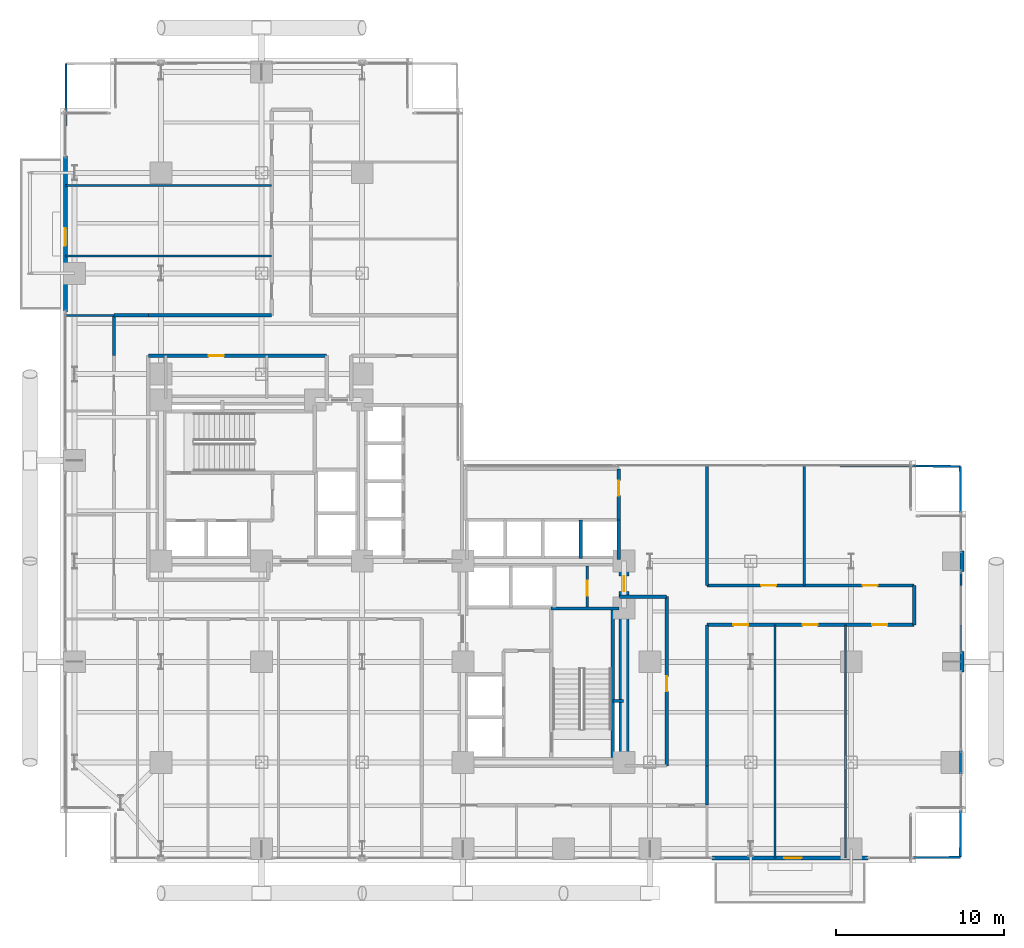
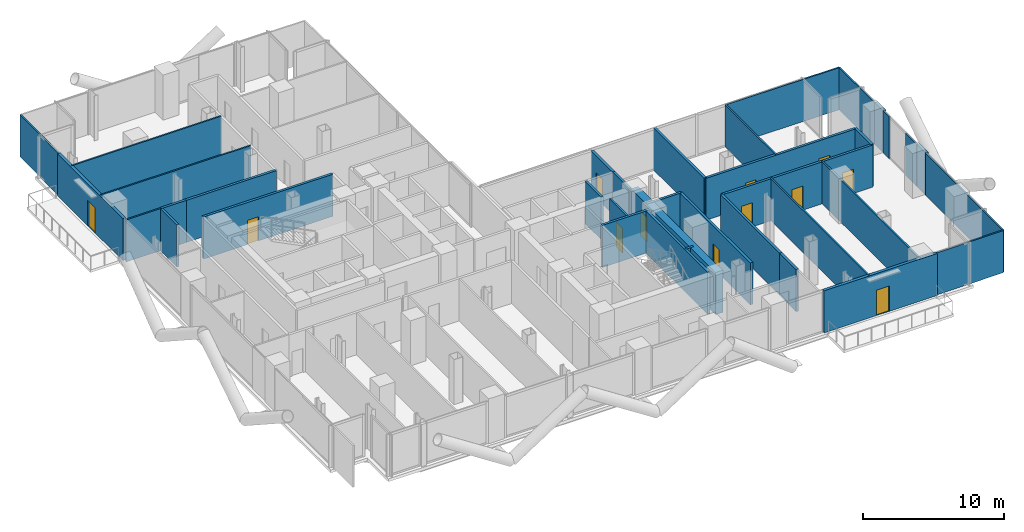
# One storey, part 23 of 27: 37 walls, 12 doors, 12 openings.
"""IFC4 building model written with IfcOpenShell, lengths in metres."""

from ifc_helpers import new_model, si_unit, direction, frame, frame_2d, origin, place, context, subcontext, project, spatial, rectangle, extrude, material, layer, layer_set, type_object, element, fill, save


model = new_model("IFC4")

# Units and contexts
model_context = context("Model", 3, precision=1e-05, world=origin(), true_north=direction((0.0, 1.0)))
body_context = subcontext(model_context, "Body", "Model", "MODEL_VIEW")
ifc_project = project(units=[si_unit("LENGTHUNIT", "METRE"), si_unit("AREAUNIT", "SQUARE_METRE"), si_unit("VOLUMEUNIT", "CUBIC_METRE"), si_unit("PLANEANGLEUNIT", "RADIAN"), si_unit("MASSUNIT", "GRAM", prefix="KILO"), si_unit("THERMODYNAMICTEMPERATUREUNIT", "KELVIN"), si_unit("POWERUNIT", "WATT")], contexts=[model_context])

# Site, building, storey
site_placement = place(None, origin())
site = spatial("IfcSite", under=ifc_project, at=site_placement, CompositionType="ELEMENT")
building_placement = place(site_placement, origin())
building = spatial("IfcBuilding", under=site, at=building_placement, Name="Svarakhadi Broadcast Tower", CompositionType="ELEMENT")
storey_placement = place(building_placement, frame((0.0, 0.0, 44.10009765625)))
storey = spatial("IfcBuildingStorey", under=building, at=storey_placement, Name="L09", CompositionType="ELEMENT", Elevation=44.10009765625)

# Wall, opening, door
ifc_material_1 = material(Name="Double-Stud Acoustic Studio Partition STC-62", Category="gypsum")
ifc_layer_1 = layer(ifc_material_1, 0.199951171875)
ifc_layer_set_1 = layer_set([ifc_layer_1], Name="Double-Stud Acoustic Studio Partition STC-62")
wall_type_1 = type_object("IfcWallType", Name="Wall_Acoust_200", PredefinedType="PARTITIONING", material=ifc_layer_set_1)
wall_1_placement = place(storey_placement, frame((36.14990234375, 5.800048828125, 0.0), z_axis=(0.0, 0.0, 1.0), x_axis=(0.0, 1.0, 0.0)))
wall_1 = element("IfcWall", 1, at=wall_1_placement, inside=storey, type_object=wall_type_1, Name="L09 Broadcast Corridor Wall", PredefinedType="PARTITIONING", context=body_context, shape_type="SweptSolid", body=[
    extrude(rectangle(XDim=10.079833984375, YDim=0.199951171875, at=frame_2d((5.0400390625, 0.0))), origin(), (0.0, 0.0, 1.0), 3.64990234375),
])
opening_1_placement = place(wall_1_placement, frame((4.429931640625, 0.0, 0.0)))
opening_1 = element("IfcOpeningElement", 2, at=opening_1_placement, cuts=wall_1, Name="Opening D-14", PredefinedType="OPENING", context=body_context, shape_type="SweptSolid", body=[
    extrude(rectangle(XDim=0.89990234375, YDim=2.10009765625, at=frame_2d((0.449951171875, 1.050048828125))), frame((0.0, 0.10986328125, 0.0), z_axis=(0.0, -1.0, 0.0), x_axis=(1.0, 0.0, 0.0)), (0.0, 0.0, 1.0), 0.219970703125),
])
ifc_material_2 = material(Name="Solid-Core Teak Veneer Acoustic Timber Leaf", Category="wood")
door_type_1 = type_object("IfcDoorType", Name="Door_Int_D14", OperationType="SINGLE_SWING_LEFT", PredefinedType="DOOR", material=ifc_material_2)
door_1_placement = place(opening_1_placement, origin())
door_1 = element("IfcDoor", 3, at=door_1_placement, inside=storey, type_object=door_type_1, Name="L09 Live Feed Monitoring Studio Door", OperationType="SINGLE_SWING_LEFT", OverallHeight=2.10009765625, OverallWidth=0.89990234375, PredefinedType="DOOR", context=body_context, shape_type="SweptSolid", body=[
    extrude(rectangle(XDim=0.89990234375, YDim=2.10009765625, at=frame_2d((0.449951171875, 1.050048828125))), frame((0.0, 0.02490234375, 0.0), z_axis=(0.0, -1.0, 0.0), x_axis=(1.0, 0.0, 0.0)), (0.0, 0.0, 1.0), 0.050048828125),
])
fill(opening_1, door_1)

# Walls
wall_2_placement = place(storey_placement, frame((36.14990234375, 15.8798828125, 0.0), z_axis=(0.0, 0.0, 1.0), x_axis=(-1.0, 0.0, 0.0)))
element("IfcWall", 4, at=wall_2_placement, inside=storey, type_object=wall_type_1, Name="L09 Broadcast Corridor Wall", PredefinedType="PARTITIONING", context=body_context, shape_type="SweptSolid", body=[
    extrude(rectangle(XDim=2.809814453125, YDim=0.199951171875, at=frame_2d((1.40478515625, 0.0))), origin(), (0.0, 0.0, 1.0), 3.64990234375),
])
wall_3_placement = place(storey_placement, frame((38.550048828125, 23.699951171875, 0.0), z_axis=(0.0, 0.0, 1.0), x_axis=(0.0, -1.0, 0.0)))
element("IfcWall", 5, at=wall_3_placement, inside=storey, type_object=wall_type_1, Name="L09 Broadcast Corridor Wall", PredefinedType="PARTITIONING", context=body_context, shape_type="SweptSolid", body=[
    extrude(rectangle(XDim=7.14990234375, YDim=0.199951171875, at=frame_2d((3.574951171875, 0.0))), origin(), (0.0, 0.0, 1.0), 3.64990234375),
])

# Wall, openings, doors
wall_4_placement = place(storey_placement, frame((38.550048828125, 16.550048828125, 0.0), z_axis=(0.0, 0.0, 1.0), x_axis=(1.0, 0.0, 0.0)))
wall_4 = element("IfcWall", 6, at=wall_4_placement, inside=storey, type_object=wall_type_1, Name="L09 Broadcast Corridor Wall", PredefinedType="PARTITIONING", context=body_context, shape_type="SweptSolid", body=[
    extrude(rectangle(XDim=12.349853515625, YDim=0.199951171875, at=frame_2d((6.1748046875, 0.0))), origin(), (0.0, 0.0, 1.0), 3.64990234375),
])
opening_2_placement = place(wall_4_placement, frame((3.22998046875, 0.0, 0.0)))
opening_2 = element("IfcOpeningElement", 7, at=opening_2_placement, cuts=wall_4, Name="Opening D-15", PredefinedType="OPENING", context=body_context, shape_type="SweptSolid", body=[
    extrude(rectangle(XDim=0.89990234375, YDim=2.10009765625, at=frame_2d((0.449951171875, 1.050048828125))), frame((0.0, 0.10986328125, 0.0), z_axis=(0.0, -1.0, 0.0), x_axis=(1.0, 0.0, 0.0)), (0.0, 0.0, 1.0), 0.219970703125),
])
opening_3_placement = place(wall_4_placement, frame((9.280029296875, 0.0, 0.0)))
opening_3 = element("IfcOpeningElement", 8, at=opening_3_placement, cuts=wall_4, Name="Opening D-14", PredefinedType="OPENING", context=body_context, shape_type="SweptSolid", body=[
    extrude(rectangle(XDim=0.89990234375, YDim=2.10009765625, at=frame_2d((0.449951171875, 1.050048828125))), frame((0.0, 0.10986328125, 0.0), z_axis=(0.0, -1.0, 0.0), x_axis=(1.0, 0.0, 0.0)), (0.0, 0.0, 1.0), 0.219970703125),
])
door_2_placement = place(opening_3_placement, origin())
door_2 = element("IfcDoor", 9, at=door_2_placement, inside=storey, type_object=door_type_1, Name="L09 Broadcast Equipment Operations Room Door", OperationType="SINGLE_SWING_LEFT", OverallHeight=2.10009765625, OverallWidth=0.89990234375, PredefinedType="DOOR", context=body_context, shape_type="SweptSolid", body=[
    extrude(rectangle(XDim=0.89990234375, YDim=2.10009765625, at=frame_2d((0.449951171875, 1.050048828125))), frame((0.0, 0.02490234375, 0.0), z_axis=(0.0, -1.0, 0.0), x_axis=(1.0, 0.0, 0.0)), (0.0, 0.0, 1.0), 0.050048828125),
])
fill(opening_3, door_2)
door_type_2 = type_object("IfcDoorType", Name="Door_Int_D15", OperationType="SINGLE_SWING_RIGHT", PredefinedType="DOOR", material=ifc_material_2)
door_3_placement = place(opening_2_placement, origin())
door_3 = element("IfcDoor", 10, at=door_3_placement, inside=storey, type_object=door_type_2, Name="L09 Broadcast Acoustic Booth Door", OperationType="SINGLE_SWING_RIGHT", OverallHeight=2.10009765625, OverallWidth=0.89990234375, PredefinedType="DOOR", context=body_context, shape_type="SweptSolid", body=[
    extrude(rectangle(XDim=0.89990234375, YDim=2.10009765625, at=frame_2d((0.449951171875, 1.050048828125))), frame((0.0, 0.02490234375, 0.0), z_axis=(0.0, -1.0, 0.0), x_axis=(1.0, 0.0, 0.0)), (0.0, 0.0, 1.0), 0.050048828125),
])
fill(opening_2, door_3)

# Wall
wall_5_placement = place(storey_placement, frame((50.89990234375, 16.550048828125, 0.0), z_axis=(0.0, 0.0, 1.0), x_axis=(0.0, -1.0, 0.0)))
element("IfcWall", 11, at=wall_5_placement, inside=storey, type_object=wall_type_1, Name="L09 Broadcast Corridor Wall", PredefinedType="PARTITIONING", context=body_context, shape_type="SweptSolid", body=[
    extrude(rectangle(XDim=2.35009765625, YDim=0.199951171875, at=frame_2d((1.175048828125, 0.0))), origin(), (0.0, 0.0, 1.0), 3.64990234375),
])

# Wall, openings, doors
wall_6_placement = place(storey_placement, frame((50.89990234375, 14.199951171875, 0.0), z_axis=(0.0, 0.0, 1.0), x_axis=(-1.0, 0.0, 0.0)))
wall_6 = element("IfcWall", 12, at=wall_6_placement, inside=storey, type_object=wall_type_1, Name="L09 Broadcast Corridor Wall", PredefinedType="PARTITIONING", context=body_context, shape_type="SweptSolid", body=[
    extrude(rectangle(XDim=12.349853515625, YDim=0.199951171875, at=frame_2d((6.1748046875, 0.0))), origin(), (0.0, 0.0, 1.0), 3.64990234375),
])
opening_4_placement = place(wall_6_placement, frame((9.875, 0.0, 0.0)))
opening_4 = element("IfcOpeningElement", 13, at=opening_4_placement, cuts=wall_6, Name="Opening D-15", PredefinedType="OPENING", context=body_context, shape_type="SweptSolid", body=[
    extrude(rectangle(XDim=0.89990234375, YDim=2.10009765625, at=frame_2d((0.449951171875, 1.050048828125))), frame((0.0, 0.10986328125, 0.0), z_axis=(0.0, -1.0, 0.0), x_axis=(1.0, 0.0, 0.0)), (0.0, 0.0, 1.0), 0.219970703125),
])
opening_5_placement = place(wall_6_placement, frame((5.75, 0.0, 0.0)))
opening_5 = element("IfcOpeningElement", 14, at=opening_5_placement, cuts=wall_6, Name="Opening D-14", PredefinedType="OPENING", context=body_context, shape_type="SweptSolid", body=[
    extrude(rectangle(XDim=0.89990234375, YDim=2.10009765625, at=frame_2d((0.449951171875, 1.050048828125))), frame((0.0, 0.10986328125, 0.0), z_axis=(0.0, -1.0, 0.0), x_axis=(1.0, 0.0, 0.0)), (0.0, 0.0, 1.0), 0.219970703125),
])
opening_6_placement = place(wall_6_placement, frame((1.60009765625, 0.0, 0.0)))
opening_6 = element("IfcOpeningElement", 15, at=opening_6_placement, cuts=wall_6, Name="Opening D-15", PredefinedType="OPENING", context=body_context, shape_type="SweptSolid", body=[
    extrude(rectangle(XDim=0.89990234375, YDim=2.10009765625, at=frame_2d((0.449951171875, 1.050048828125))), frame((0.0, 0.10986328125, 0.0), z_axis=(0.0, -1.0, 0.0), x_axis=(1.0, 0.0, 0.0)), (0.0, 0.0, 1.0), 0.219970703125),
])
door_4_placement = place(opening_5_placement, origin())
door_4 = element("IfcDoor", 16, at=door_4_placement, inside=storey, type_object=door_type_1, Name="L09 Ingest Pod B Door", OperationType="SINGLE_SWING_LEFT", OverallHeight=2.10009765625, OverallWidth=0.89990234375, PredefinedType="DOOR", context=body_context, shape_type="SweptSolid", body=[
    extrude(rectangle(XDim=0.89990234375, YDim=2.10009765625, at=frame_2d((0.449951171875, 1.050048828125))), frame((0.0, 0.02490234375, 0.0), z_axis=(0.0, -1.0, 0.0), x_axis=(1.0, 0.0, 0.0)), (0.0, 0.0, 1.0), 0.050048828125),
])
fill(opening_5, door_4)
door_5_placement = place(opening_4_placement, origin())
door_5 = element("IfcDoor", 17, at=door_5_placement, inside=storey, type_object=door_type_2, Name="L09 Ingest Pod A Door", OperationType="SINGLE_SWING_RIGHT", OverallHeight=2.10009765625, OverallWidth=0.89990234375, PredefinedType="DOOR", context=body_context, shape_type="SweptSolid", body=[
    extrude(rectangle(XDim=0.89990234375, YDim=2.10009765625, at=frame_2d((0.449951171875, 1.050048828125))), frame((0.0, 0.02490234375, 0.0), z_axis=(0.0, -1.0, 0.0), x_axis=(1.0, 0.0, 0.0)), (0.0, 0.0, 1.0), 0.050048828125),
])
fill(opening_4, door_5)
door_6_placement = place(opening_6_placement, origin())
door_6 = element("IfcDoor", 18, at=door_6_placement, inside=storey, type_object=door_type_2, Name="L09 QC Review Pod Door", OperationType="SINGLE_SWING_RIGHT", OverallHeight=2.10009765625, OverallWidth=0.89990234375, PredefinedType="DOOR", context=body_context, shape_type="SweptSolid", body=[
    extrude(rectangle(XDim=0.89990234375, YDim=2.10009765625, at=frame_2d((0.449951171875, 1.050048828125))), frame((0.0, 0.02490234375, 0.0), z_axis=(0.0, -1.0, 0.0), x_axis=(1.0, 0.0, 0.0)), (0.0, 0.0, 1.0), 0.050048828125),
])
fill(opening_6, door_6)

# Walls
wall_7_placement = place(storey_placement, frame((38.550048828125, 14.199951171875, 0.0), z_axis=(0.0, 0.0, 1.0), x_axis=(0.0, -1.0, 0.0)))
element("IfcWall", 19, at=wall_7_placement, inside=storey, type_object=wall_type_1, Name="L09 Broadcast Corridor Wall", PredefinedType="PARTITIONING", context=body_context, shape_type="SweptSolid", body=[
    extrude(rectangle(XDim=8.39990234375, YDim=0.199951171875, at=frame_2d((4.199951171875, 0.0))), origin(), (0.0, 0.0, 1.0), 3.64990234375),
])
wall_8_placement = place(storey_placement, frame((38.550048828125, 5.800048828125, 0.0), z_axis=(0.0, 0.0, 1.0), x_axis=(0.0, -1.0, 0.0)))
element("IfcWall", 20, at=wall_8_placement, inside=storey, type_object=wall_type_1, Name="L09 Broadcast Corridor Wall", PredefinedType="PARTITIONING", context=body_context, shape_type="SweptSolid", body=[
    extrude(rectangle(XDim=2.35009765625, YDim=0.199951171875, at=frame_2d((1.175048828125, 0.0))), origin(), (0.0, 0.0, 1.0), 3.64990234375),
])
wall_9_placement = place(storey_placement, frame((3.199951171875, 30.25, 0.0), z_axis=(0.0, 0.0, 1.0), x_axis=(0.0, 1.0, 0.0)))
element("IfcWall", 21, at=wall_9_placement, inside=storey, type_object=wall_type_1, Name="L09 Broadcast Corridor Wall", PredefinedType="PARTITIONING", context=body_context, shape_type="SweptSolid", body=[
    extrude(rectangle(XDim=2.39990234375, YDim=0.199951171875, at=frame_2d((1.199951171875, 0.0))), origin(), (0.0, 0.0, 1.0), 3.64990234375),
])
wall_10_placement = place(storey_placement, frame((3.199951171875, 32.64990234375, 0.0), z_axis=(0.0, 0.0, 1.0), x_axis=(1.0, 0.0, 0.0)))
element("IfcWall", 22, at=wall_10_placement, inside=storey, type_object=wall_type_1, Name="L09 Broadcast Corridor Wall", PredefinedType="PARTITIONING", context=body_context, shape_type="SweptSolid", body=[
    extrude(rectangle(XDim=2.050048828125, YDim=0.199951171875, at=frame_2d((1.02490234375, 0.0))), origin(), (0.0, 0.0, 1.0), 3.64990234375),
])
wall_11_placement = place(storey_placement, frame((5.25, 32.64990234375, 0.0), z_axis=(0.0, 0.0, 1.0), x_axis=(1.0, 0.0, 0.0)))
element("IfcWall", 23, at=wall_11_placement, inside=storey, type_object=wall_type_1, Name="L09 Broadcast Corridor Wall", PredefinedType="PARTITIONING", context=body_context, shape_type="SweptSolid", body=[
    extrude(rectangle(XDim=7.35009765625, YDim=0.199951171875, at=frame_2d((3.675048828125, 0.0))), origin(), (0.0, 0.0, 1.0), 3.64990234375),
])

# Wall, opening, door
wall_12_placement = place(storey_placement, frame((15.8798828125, 30.25, 0.0), z_axis=(0.0, 0.0, 1.0), x_axis=(-1.0, 0.0, 0.0)))
wall_12 = element("IfcWall", 24, at=wall_12_placement, inside=storey, type_object=wall_type_1, Name="L09 Broadcast Corridor Wall", PredefinedType="PARTITIONING", context=body_context, shape_type="SweptSolid", body=[
    extrude(rectangle(XDim=10.6298828125, YDim=0.199951171875, at=frame_2d((5.31494140625, 0.0))), origin(), (0.0, 0.0, 1.0), 3.64990234375),
])
opening_7_placement = place(wall_12_placement, frame((6.1298828125, 0.0, 0.0)))
opening_7 = element("IfcOpeningElement", 25, at=opening_7_placement, cuts=wall_12, Name="Opening D-12", PredefinedType="OPENING", context=body_context, shape_type="SweptSolid", body=[
    extrude(rectangle(XDim=0.89990234375, YDim=2.10009765625, at=frame_2d((0.449951171875, 1.050048828125))), frame((0.0, 0.10986328125, 0.0), z_axis=(0.0, -1.0, 0.0), x_axis=(1.0, 0.0, 0.0)), (0.0, 0.0, 1.0), 0.219970703125),
])
door_type_3 = type_object("IfcDoorType", Name="Door_WC_D01", OperationType="SINGLE_SWING_LEFT", PredefinedType="DOOR", material=ifc_material_2)
door_7_placement = place(opening_7_placement, origin())
door_7 = element("IfcDoor", 26, at=door_7_placement, inside=storey, type_object=door_type_3, Name="L09 Accessible Toilet WC Door", OperationType="SINGLE_SWING_LEFT", OverallHeight=2.10009765625, OverallWidth=0.89990234375, PredefinedType="DOOR", context=body_context, shape_type="SweptSolid", body=[
    extrude(rectangle(XDim=0.89990234375, YDim=2.10009765625, at=frame_2d((0.449951171875, 1.050048828125))), frame((0.0, 0.02490234375, 0.0), z_axis=(0.0, -1.0, 0.0), x_axis=(1.0, 0.0, 0.0)), (0.0, 0.0, 1.0), 0.050048828125),
])
fill(opening_7, door_7)

ifc_material_3 = material(Name="Concrete C40/50 (IS 456 M50)", Category="concrete")
ifc_layer_2 = layer(ifc_material_3, 0.239990234375)
ifc_layer_set_2 = layer_set([ifc_layer_2], Name="Concrete C40/50 (IS 456 M50)")
wall_type_2 = type_object("IfcWallType", Name="Wall_Ext_240", PredefinedType="SOLIDWALL", material=ifc_layer_set_2)
wall_13_placement = place(storey_placement, frame((48.14501953125, 0.300048828125, 0.0), z_axis=(0.0, 0.0, 1.0), x_axis=(-1.0, 0.0, 0.0)))
wall_13 = element("IfcWall", 27, at=wall_13_placement, inside=storey, type_object=wall_type_2, Name="L09 South Tree Balcony Spandrel Wall", PredefinedType="SOLIDWALL", context=body_context, shape_type="SweptSolid", body=[
    extrude(rectangle(XDim=9.2900390625, YDim=0.239990234375, at=frame_2d((4.64501953125, 0.0))), origin(), (0.0, 0.0, 1.0), 3.64990234375),
])
opening_8_placement = place(wall_13_placement, frame((3.945068359375, 0.0, 0.0)))
opening_8 = element("IfcOpeningElement", 28, at=opening_8_placement, cuts=wall_13, Name="Opening ED-05", PredefinedType="OPENING", context=body_context, shape_type="SweptSolid", body=[
    extrude(rectangle(XDim=1.050048828125, YDim=2.199951171875, at=frame_2d((0.52490234375, 1.10009765625))), frame((0.0, 0.1298828125, 0.0), z_axis=(0.0, -1.0, 0.0), x_axis=(1.0, 0.0, 0.0)), (0.0, 0.0, 1.0), 0.260009765625),
])
ifc_material_4 = material(Name="Anodised Bronze Aluminium AA 6063-T6", Category="aluminium")
door_type_4 = type_object("IfcDoorType", Name="Door_Ext_ED05", OperationType="SINGLE_SWING_LEFT", PredefinedType="DOOR", material=ifc_material_4)
door_8_placement = place(opening_8_placement, origin())
door_8 = element("IfcDoor", 29, at=door_8_placement, inside=storey, type_object=door_type_4, Name="L09 South Tree Balcony Door", OperationType="SINGLE_SWING_LEFT", OverallHeight=2.199951171875, OverallWidth=1.050048828125, PredefinedType="DOOR", context=body_context, shape_type="SweptSolid", body=[
    extrude(rectangle(XDim=1.050048828125, YDim=2.199951171875, at=frame_2d((0.52490234375, 1.10009765625))), frame((0.0, 0.02490234375, 0.0), z_axis=(0.0, -1.0, 0.0), x_axis=(1.0, 0.0, 0.0)), (0.0, 0.0, 1.0), 0.050048828125),
])
fill(opening_8, door_8)

wall_14_placement = place(storey_placement, frame((0.300048828125, 32.85498046875, 0.0), z_axis=(0.0, 0.0, 1.0), x_axis=(0.0, 1.0, 0.0)))
wall_14 = element("IfcWall", 30, at=wall_14_placement, inside=storey, type_object=wall_type_2, Name="L09 West Tree Balcony Spandrel Wall", PredefinedType="SOLIDWALL", context=body_context, shape_type="SweptSolid", body=[
    extrude(rectangle(XDim=9.2900390625, YDim=0.239990234375, at=frame_2d((4.64501953125, 0.0))), origin(), (0.0, 0.0, 1.0), 3.64990234375),
])
opening_9_placement = place(wall_14_placement, frame((3.945068359375, 0.0, 0.0)))
opening_9 = element("IfcOpeningElement", 31, at=opening_9_placement, cuts=wall_14, Name="Opening ED-06", PredefinedType="OPENING", context=body_context, shape_type="SweptSolid", body=[
    extrude(rectangle(XDim=1.050048828125, YDim=2.199951171875, at=frame_2d((0.52490234375, 1.10009765625))), frame((0.0, 0.1298828125, 0.0), z_axis=(0.0, -1.0, 0.0), x_axis=(1.0, 0.0, 0.0)), (0.0, 0.0, 1.0), 0.260009765625),
])
door_type_5 = type_object("IfcDoorType", Name="Door_Ext_ED06", OperationType="SINGLE_SWING_RIGHT", PredefinedType="DOOR", material=ifc_material_4)
door_9_placement = place(opening_9_placement, origin())
door_9 = element("IfcDoor", 32, at=door_9_placement, inside=storey, type_object=door_type_5, Name="L09 West Tree Balcony Door", OperationType="SINGLE_SWING_RIGHT", OverallHeight=2.199951171875, OverallWidth=1.050048828125, PredefinedType="DOOR", context=body_context, shape_type="SweptSolid", body=[
    extrude(rectangle(XDim=1.050048828125, YDim=2.199951171875, at=frame_2d((0.52490234375, 1.10009765625))), frame((0.0, 0.02490234375, 0.0), z_axis=(0.0, -1.0, 0.0), x_axis=(1.0, 0.0, 0.0)), (0.0, 0.0, 1.0), 0.050048828125),
])
fill(opening_9, door_9)

# Walls
for number, where, z_axis, x_axis, name in (
    (33, (53.760009765625, 18.614990234375, 0.0), (0.0, 0.0, 1.0), (0.0, -1.0, 0.0), "L09 Perimeter Bronze Spandrel Closure Wall 03"),
    (34, (53.760009765625, 12.614990234375, 0.0), (0.0, 0.0, 1.0), (0.0, -1.0, 0.0), "L09 Perimeter Bronze Spandrel Closure Wall 04"),
):
    element("IfcWall", number, at=place(storey_placement, frame(where, z_axis=z_axis, x_axis=x_axis)), inside=storey, type_object=wall_type_2, Name=name, PredefinedType="SOLIDWALL", context=body_context, shape_type="SweptSolid", body=[
        extrude(rectangle(XDim=1.22998046875, YDim=0.239990234375, at=frame_2d((0.614990234375, 0.0))), origin(), (0.0, 0.0, 1.0), 3.64990234375),
    ])
ifc_layer_3 = layer(ifc_material_3, 0.199951171875)
ifc_layer_set_3 = layer_set([ifc_layer_3], Name="Concrete C40/50 (IS 456 M50)")
wall_type_3 = type_object("IfcWallType", Name="Wall_Fire_200", PredefinedType="SOLIDWALL", material=ifc_layer_set_3)
wall_15_placement = place(storey_placement, frame((32.93994140625, 9.659912109375, 0.0), z_axis=(0.0, 0.0, 1.0), x_axis=(1.0, 0.0, 0.0)))
element("IfcWall", 35, at=wall_15_placement, inside=storey, type_object=wall_type_3, Name="L09 HV Busduct Riser Shaft North Wall", PredefinedType="SOLIDWALL", context=body_context, shape_type="SweptSolid", body=[
    extrude(rectangle(XDim=0.64013671875, YDim=0.199951171875, at=frame_2d((0.320068359375, 0.0))), origin(), (0.0, 0.0, 1.0), 3.64990234375),
])
ifc_material_5 = material(Name="Fire-Rated Moisture-Resistant Gypsum Board Partition", Category="gypsum")
ifc_layer_4 = layer(ifc_material_5, 0.125)
ifc_layer_set_4 = layer_set([ifc_layer_4], Name="Fire-Rated Moisture-Resistant Gypsum Board Partition")
wall_type_4 = type_object("IfcWallType", Name="Wall_Part_125", PredefinedType="PARTITIONING", material=ifc_layer_set_4)
for number, where, z_axis, x_axis, name in (
    (36, (42.60009765625, 0.300048828125, 0.0), (0.0, 0.0, 1.0), (0.0, 1.0, 0.0), "L09 Ingest Pod A Wall"),
    (37, (46.800048828125, 0.300048828125, 0.0), (0.0, 0.0, 1.0), (0.0, 1.0, 0.0), "L09 Ingest Pod B Wall"),
):
    element("IfcWall", number, at=place(storey_placement, frame(where, z_axis=z_axis, x_axis=x_axis)), inside=storey, type_object=wall_type_4, Name=name, PredefinedType="PARTITIONING", context=body_context, shape_type="SweptSolid", body=[
        extrude(rectangle(XDim=13.89990234375, YDim=0.125, at=frame_2d((6.949951171875, 0.0))), origin(), (0.0, 0.0, 1.0), 3.64990234375),
    ])
wall_16_placement = place(storey_placement, frame((48.14501953125, 0.309814453125, 0.0), z_axis=(0.0, 0.0, 1.0), x_axis=(0.999973226546, 0.007317526272, 0.0)))
element("IfcWall", 38, at=wall_16_placement, inside=storey, type_object=wall_type_4, Name="L09 QC Review Pod Wall", PredefinedType="PARTITIONING", context=body_context, shape_type="SweptSolid", body=[
    extrude(rectangle(XDim=5.505126953125, YDim=0.125, at=frame_2d((2.75244140625, 0.0))), origin(), (0.0, 0.0, 1.0), 3.64990234375),
])
wall_17_placement = place(storey_placement, frame((53.64990234375, 0.35009765625, 0.0), z_axis=(0.0, 0.0, 1.0), x_axis=(0.003606251025, 0.999993497456, 0.0)))
element("IfcWall", 39, at=wall_17_placement, inside=storey, type_object=wall_type_4, Name="L09 QC Review Pod Wall", PredefinedType="PARTITIONING", context=body_context, shape_type="SweptSolid", body=[
    extrude(rectangle(XDim=11.034912109375, YDim=0.125, at=frame_2d((5.517578125, 0.0))), origin(), (0.0, 0.0, 1.0), 3.64990234375),
])
wall_18_placement = place(storey_placement, frame((53.6943359375, 12.614990234375, 0.0), z_axis=(0.0, 0.0, 1.0), x_axis=(0.003542799701, 0.999993724265, 0.0)))
element("IfcWall", 40, at=wall_18_placement, inside=storey, type_object=wall_type_4, Name="L09 QC Review Pod Wall", PredefinedType="PARTITIONING", context=body_context, shape_type="SweptSolid", body=[
    extrude(rectangle(XDim=1.5849609375, YDim=0.125, at=frame_2d((0.79248046875, 0.0))), origin(), (0.0, 0.0, 1.0), 3.64990234375),
])
wall_19_placement = place(storey_placement, frame((44.35009765625, 16.550048828125, 0.0), z_axis=(0.0, 0.0, 1.0), x_axis=(0.0, 1.0, 0.0)))
element("IfcWall", 41, at=wall_19_placement, inside=storey, type_object=wall_type_4, Name="L09 Broadcast Acoustic Booth Wall", PredefinedType="PARTITIONING", context=body_context, shape_type="SweptSolid", body=[
    extrude(rectangle(XDim=7.14990234375, YDim=0.125, at=frame_2d((3.574951171875, 0.0))), origin(), (0.0, 0.0, 1.0), 3.64990234375),
])
wall_20_placement = place(storey_placement, frame((44.35009765625, 23.699951171875, 0.0), z_axis=(0.0, 0.0, 1.0), x_axis=(0.999985518927, -0.005381629512, 0.0)))
element("IfcWall", 42, at=wall_20_placement, inside=storey, type_object=wall_type_4, Name="L09 Broadcast Equipment Operations Room Wall", PredefinedType="PARTITIONING", context=body_context, shape_type="SweptSolid", body=[
    extrude(rectangle(XDim=9.300048828125, YDim=0.125, at=frame_2d((4.64990234375, 0.0))), origin(), (0.0, 0.0, 1.0), 3.64990234375),
])
wall_21_placement = place(storey_placement, frame((53.699951171875, 16.550048828125, 0.0), z_axis=(0.0, 0.0, 1.0), x_axis=(-0.007017371073, 0.999975377948, 0.0)))
element("IfcWall", 43, at=wall_21_placement, inside=storey, type_object=wall_type_4, Name="L09 Broadcast Equipment Operations Room Wall", PredefinedType="PARTITIONING", context=body_context, shape_type="SweptSolid", body=[
    extrude(rectangle(XDim=0.8349609375, YDim=0.125, at=frame_2d((0.41748046875, 0.0))), origin(), (0.0, 0.0, 1.0), 3.64990234375),
])
wall_22_placement = place(storey_placement, frame((53.685546875, 18.614990234375, 0.0), z_axis=(0.0, 0.0, 1.0), x_axis=(-0.007079296972, 0.999974941463, 0.0)))
element("IfcWall", 44, at=wall_22_placement, inside=storey, type_object=wall_type_4, Name="L09 Broadcast Equipment Operations Room Wall", PredefinedType="PARTITIONING", context=body_context, shape_type="SweptSolid", body=[
    extrude(rectangle(XDim=5.03515625, YDim=0.125, at=frame_2d((2.517578125, 0.0))), origin(), (0.0, 0.0, 1.0), 3.64990234375),
])
for number, where, z_axis, x_axis, name in (
    (45, (0.300048828125, 36.199951171875, 0.0), (0.0, 0.0, 1.0), (1.0, 0.0, 0.0), "L09 Sound Foley Room Wall"),
    (46, (0.300048828125, 40.39990234375, 0.0), (0.0, 0.0, 1.0), (1.0, 0.0, 0.0), "L09 ADR Vocal Room Wall"),
):
    element("IfcWall", number, at=place(storey_placement, frame(where, z_axis=z_axis, x_axis=x_axis)), inside=storey, type_object=wall_type_4, Name=name, PredefinedType="PARTITIONING", context=body_context, shape_type="SweptSolid", body=[
        extrude(rectangle(XDim=12.300048828125, YDim=0.125, at=frame_2d((6.14990234375, 0.0))), origin(), (0.0, 0.0, 1.0), 3.64990234375),
    ])
wall_23_placement = place(storey_placement, frame((0.31201171875, 42.14501953125, 0.0), z_axis=(0.0, 0.0, 1.0), x_axis=(0.006918408131, 0.999976067528, 0.0)))
element("IfcWall", 47, at=wall_23_placement, inside=storey, type_object=wall_type_4, Name="L09 Mastering Studio Wall", PredefinedType="PARTITIONING", context=body_context, shape_type="SweptSolid", body=[
    extrude(rectangle(XDim=5.505126953125, YDim=0.125, at=frame_2d((2.75244140625, 0.0))), origin(), (0.0, 0.0, 1.0), 3.64990234375),
])
wall_24_placement = place(storey_placement, frame((0.300048828125, 32.64990234375, 0.0), z_axis=(0.0, 0.0, 1.0), x_axis=(1.0, 0.0, 0.0)))
element("IfcWall", 48, at=wall_24_placement, inside=storey, type_object=wall_type_4, Name="L09 Producer Quiet Lounge Wall", PredefinedType="PARTITIONING", context=body_context, shape_type="SweptSolid", body=[
    extrude(rectangle(XDim=2.89990234375, YDim=0.125, at=frame_2d((1.449951171875, 0.0))), origin(), (0.0, 0.0, 1.0), 3.64990234375),
])

# Wall, opening, door
ifc_material_6 = material(Name="Autoclaved Aerated Concrete Blockwork 150 mm", Category="masonry")
ifc_layer_5 = layer(ifc_material_6, 0.14990234375)
ifc_layer_set_5 = layer_set([ifc_layer_5], Name="Autoclaved Aerated Concrete Blockwork 150 mm")
wall_type_5 = type_object("IfcWallType", Name="Wall_Part_150", PredefinedType="PARTITIONING", material=ifc_layer_set_5)
wall_25_placement = place(storey_placement, frame((31.419921875, 15.280029296875, 0.0), z_axis=(0.0, 0.0, 1.0), x_axis=(0.0, 1.0, 0.0)))
wall_25 = element("IfcWall", 49, at=wall_25_placement, inside=storey, type_object=wall_type_5, Name="L09 Core Service Split Wall", PredefinedType="PARTITIONING", context=body_context, shape_type="SweptSolid", body=[
    extrude(rectangle(XDim=2.419921875, YDim=0.14990234375, at=frame_2d((1.2099609375, 0.0))), origin(), (0.0, 0.0, 1.0), 3.64990234375),
])
opening_10_placement = place(wall_25_placement, frame((0.64990234375, 0.0, 0.0)))
opening_10 = element("IfcOpeningElement", 50, at=opening_10_placement, cuts=wall_25, Name="Opening D-04", PredefinedType="OPENING", context=body_context, shape_type="SweptSolid", body=[
    extrude(rectangle(XDim=0.89990234375, YDim=2.14990234375, at=frame_2d((0.449951171875, 1.074951171875))), frame((0.0, 0.0849609375, 0.0), z_axis=(0.0, -1.0, 0.0), x_axis=(1.0, 0.0, 0.0)), (0.0, 0.0, 1.0), 0.169921875),
])
ifc_material_7 = material(Name="Galvanised Powder-Coated Fire-Rated Steel Leaf", Category="steel")
door_type_6 = type_object("IfcDoorType", Name="Door_Fire_D04", OperationType="SINGLE_SWING_RIGHT", PredefinedType="DOOR", material=ifc_material_7)
door_10_placement = place(opening_10_placement, origin())
door_10 = element("IfcDoor", 51, at=door_10_placement, inside=storey, type_object=door_type_6, Name="L09 Core Inner Riser Store Door", OperationType="SINGLE_SWING_RIGHT", OverallHeight=2.14990234375, OverallWidth=0.89990234375, PredefinedType="DOOR", context=body_context, shape_type="SweptSolid", body=[
    extrude(rectangle(XDim=0.89990234375, YDim=2.14990234375, at=frame_2d((0.449951171875, 1.074951171875))), frame((0.0, 0.02490234375, 0.0), z_axis=(0.0, -1.0, 0.0), x_axis=(1.0, 0.0, 0.0)), (0.0, 0.0, 1.0), 0.050048828125),
])
fill(opening_10, door_10)

# Walls
ifc_material_8 = material(Name="Concrete C50/60 (IS 456 M60)", Category="concrete")
ifc_layer_6 = layer(ifc_material_8, 0.199951171875)
ifc_layer_set_6 = layer_set([ifc_layer_6], Name="Concrete C50/60 (IS 456 M60)")
wall_type_6 = type_object("IfcWallType", Name="Wall_Shear_200", PredefinedType="SHEAR", material=ifc_layer_set_6)
wall_26_placement = place(storey_placement, frame((32.93994140625, 6.300048828125, 0.0), z_axis=(0.0, 0.0, 1.0), x_axis=(0.0, 1.0, 0.0)))
element("IfcWall", 52, at=wall_26_placement, inside=storey, type_object=wall_type_6, Name="L09 Stair ST-02 East RC Shaft Wall", PredefinedType="SHEAR", context=body_context, shape_type="SweptSolid", body=[
    extrude(rectangle(XDim=8.8798828125, YDim=0.199951171875, at=frame_2d((4.43994140625, 0.0))), origin(), (0.0, 0.0, 1.0), 3.64990234375),
])
wall_27_placement = place(storey_placement, frame((29.260009765625, 15.179931640625, 0.0), z_axis=(0.0, 0.0, 1.0), x_axis=(1.0, 0.0, 0.0)))
element("IfcWall", 53, at=wall_27_placement, inside=storey, type_object=wall_type_6, Name="L09 Stair ST-02 North RC Shaft Wall", PredefinedType="SHEAR", context=body_context, shape_type="SweptSolid", body=[
    extrude(rectangle(XDim=4.0400390625, YDim=0.199951171875, at=frame_2d((2.02001953125, 0.0))), origin(), (0.0, 0.0, 1.0), 3.64990234375),
])
wall_28_placement = place(storey_placement, frame((33.300048828125, 18.10009765625, 0.0), z_axis=(0.0, 0.0, 1.0), x_axis=(0.0, 1.0, 0.0)))
element("IfcWall", 54, at=wall_28_placement, inside=storey, type_object=wall_type_6, Name="L09 Bank B East Shaft Wall", PredefinedType="SHEAR", context=body_context, shape_type="SweptSolid", body=[
    extrude(rectangle(XDim=2.349853515625, YDim=0.199951171875, at=frame_2d((1.1748046875, 0.0))), origin(), (0.0, 0.0, 1.0), 3.64990234375),
])
wall_29_placement = place(storey_placement, frame((31.02001953125, 18.14990234375, 0.0), z_axis=(0.0, 0.0, 1.0), x_axis=(0.0, 1.0, 0.0)))
element("IfcWall", 55, at=wall_29_placement, inside=storey, type_object=wall_type_6, Name="L09 Bank B Divider", PredefinedType="SHEAR", context=body_context, shape_type="SweptSolid", body=[
    extrude(rectangle(XDim=2.300048828125, YDim=0.199951171875, at=frame_2d((1.14990234375, 0.0))), origin(), (0.0, 0.0, 1.0), 3.64990234375),
])

# Wall, opening, door
wall_30_placement = place(storey_placement, frame((33.300048828125, 20.449951171875, 0.0), z_axis=(0.0, 0.0, 1.0), x_axis=(0.0, 1.0, 0.0)))
wall_30 = element("IfcWall", 56, at=wall_30_placement, inside=storey, type_object=wall_type_6, Name="L09 Bank B Lift Hall East Wall", PredefinedType="SHEAR", context=body_context, shape_type="SweptSolid", body=[
    extrude(rectangle(XDim=3.050048828125, YDim=0.199951171875, at=frame_2d((1.52490234375, 0.0))), origin(), (0.0, 0.0, 1.0), 3.64990234375),
])
opening_11_placement = place(wall_30_placement, frame((1.449951171875, 0.0, 0.0)))
opening_11 = element("IfcOpeningElement", 57, at=opening_11_placement, cuts=wall_30, Name="Opening D-04", PredefinedType="OPENING", context=body_context, shape_type="SweptSolid", body=[
    extrude(rectangle(XDim=0.89990234375, YDim=2.14990234375, at=frame_2d((0.449951171875, 1.074951171875))), frame((0.0, 0.10986328125, 0.0), z_axis=(0.0, -1.0, 0.0), x_axis=(1.0, 0.0, 0.0)), (0.0, 0.0, 1.0), 0.219970703125),
])
door_11_placement = place(opening_11_placement, origin())
door_11 = element("IfcDoor", 58, at=door_11_placement, inside=storey, type_object=door_type_6, Name="L09 Mid-Rise Lift Hall East Corridor Door", OperationType="SINGLE_SWING_RIGHT", OverallHeight=2.14990234375, OverallWidth=0.89990234375, PredefinedType="DOOR", context=body_context, shape_type="SweptSolid", body=[
    extrude(rectangle(XDim=0.89990234375, YDim=2.14990234375, at=frame_2d((0.449951171875, 1.074951171875))), frame((0.0, 0.02490234375, 0.0), z_axis=(0.0, -1.0, 0.0), x_axis=(1.0, 0.0, 0.0)), (0.0, 0.0, 1.0), 0.050048828125),
])
fill(opening_11, door_11)

ifc_material_9 = material(Name="Concrete C60/75 (IS 456 M70)", Category="concrete")
ifc_layer_7 = layer(ifc_material_9, 0.60009765625)
ifc_layer_set_7 = layer_set([ifc_layer_7], Name="Concrete C60/75 (IS 456 M70)")
wall_type_7 = type_object("IfcWallType", Name="Wall_Shear_600", PredefinedType="SHEAR", material=ifc_layer_set_7)
wall_31_placement = place(storey_placement, frame((33.60009765625, 6.0, 0.0), z_axis=(0.0, 0.0, 1.0), x_axis=(0.0, 1.0, 0.0)))
wall_31 = element("IfcWall", 59, at=wall_31_placement, inside=storey, type_object=wall_type_7, Name="L09 East Core East Shear Wall", PredefinedType="SHEAR", context=body_context, shape_type="SweptSolid", body=[
    extrude(rectangle(XDim=12.0, YDim=0.60009765625, at=frame_2d((6.0, 0.0))), origin(), (0.0, 0.0, 1.0), 3.64990234375),
])
opening_12_placement = place(wall_31_placement, frame((10.199951171875, 0.0, 0.0)))
opening_12 = element("IfcOpeningElement", 60, at=opening_12_placement, cuts=wall_31, Name="Opening D-03", PredefinedType="OPENING", context=body_context, shape_type="SweptSolid", body=[
    extrude(rectangle(XDim=0.89990234375, YDim=2.14990234375, at=frame_2d((0.449951171875, 1.074951171875))), frame((0.0, 0.31005859375, 0.0), z_axis=(0.0, -1.0, 0.0), x_axis=(1.0, 0.0, 0.0)), (0.0, 0.0, 1.0), 0.6201171875),
])
door_type_7 = type_object("IfcDoorType", Name="Door_Fire_D03", OperationType="SINGLE_SWING_LEFT", PredefinedType="DOOR", material=ifc_material_7)
door_12_placement = place(opening_12_placement, origin())
door_12 = element("IfcDoor", 61, at=door_12_placement, inside=storey, type_object=door_type_7, Name="L09 Core Outer Service Store Door", OperationType="SINGLE_SWING_LEFT", OverallHeight=2.14990234375, OverallWidth=0.89990234375, PredefinedType="DOOR", context=body_context, shape_type="SweptSolid", body=[
    extrude(rectangle(XDim=0.89990234375, YDim=2.14990234375, at=frame_2d((0.449951171875, 1.074951171875))), frame((0.0, 0.02490234375, 0.0), z_axis=(0.0, -1.0, 0.0), x_axis=(1.0, 0.0, 0.0)), (0.0, 0.0, 1.0), 0.050048828125),
])
fill(opening_12, door_12)

save(model, "model.ifc")
